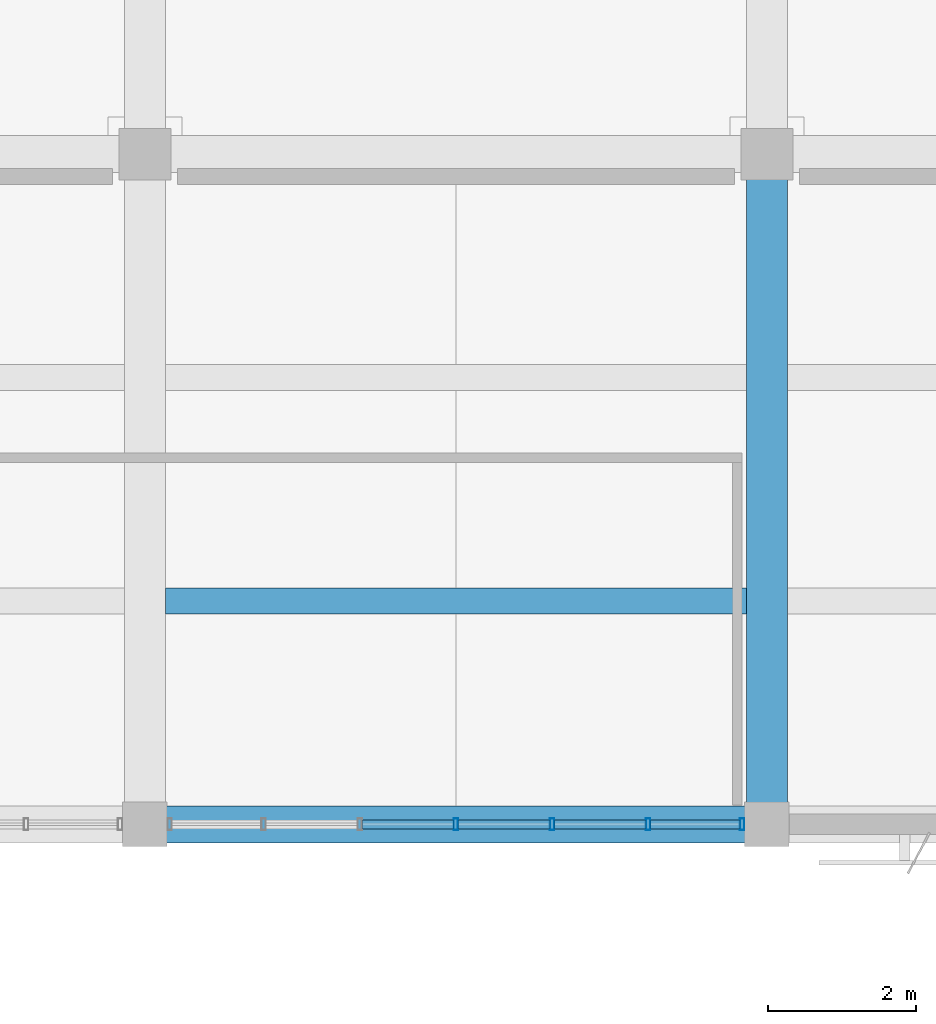
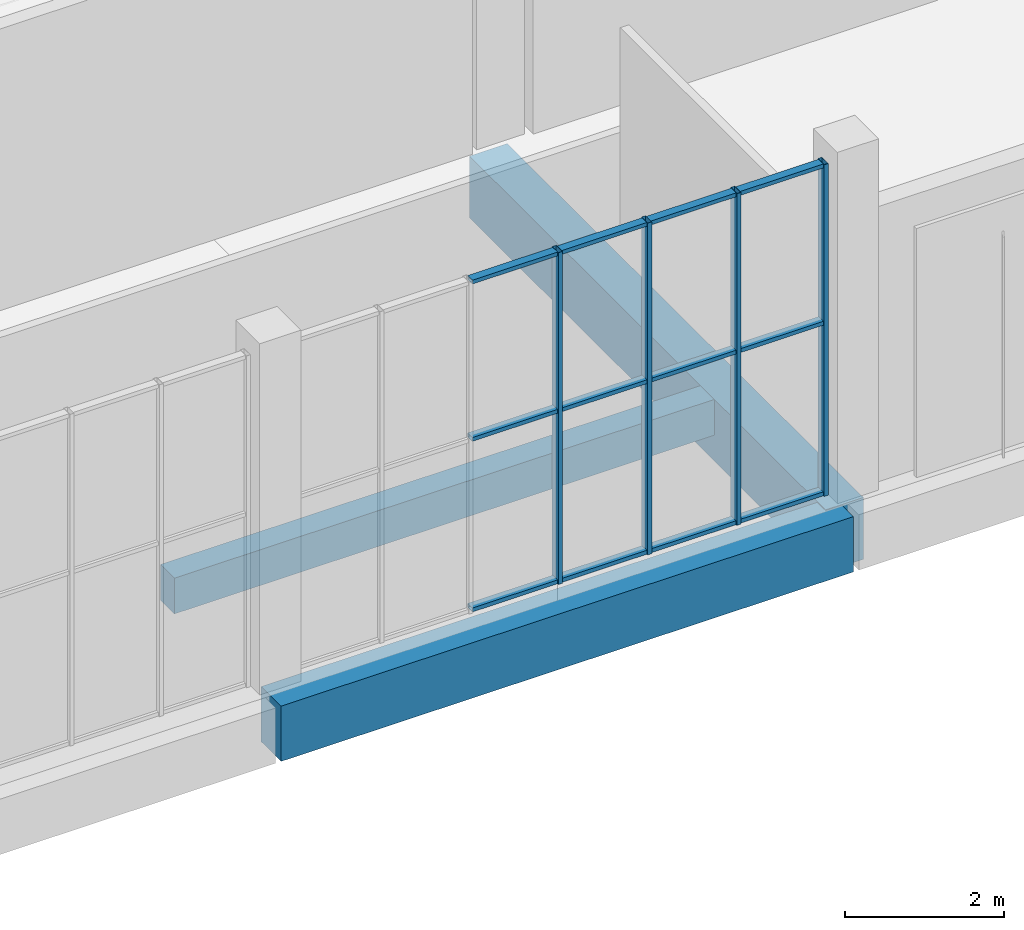
# One storey, part 73 of 132: 16 members, 3 beams, 1 element without a shape of its own.
"""IFC4 building model written with IfcOpenShell, lengths in metres."""

from ifc_helpers import new_model, si_unit, direction, frame, origin, origin_2d, place, context, subcontext, project, spatial, rectangle, hollow_rectangle, extrude, material, material_profile, profile_set, type_object, element, aggregate, save


model = new_model("IFC4")

# Units and contexts
model_context = context("Model", 3, precision=1e-05, world=origin(), true_north=direction((0.0, 1.0)))
body_context = subcontext(model_context, "Body", "Model", "MODEL_VIEW")
ifc_project = project(units=[si_unit("LENGTHUNIT", "METRE"), si_unit("AREAUNIT", "SQUARE_METRE"), si_unit("VOLUMEUNIT", "CUBIC_METRE"), si_unit("PLANEANGLEUNIT", "RADIAN"), si_unit("MASSUNIT", "GRAM", prefix="KILO")], contexts=[model_context])

# Site, building, storey
site_placement = place(None, origin())
site = spatial("IfcSite", under=ifc_project, at=site_placement, CompositionType="ELEMENT")
building_placement = place(site_placement, origin())
building = spatial("IfcBuilding", under=site, at=building_placement, Name="Khurvash Pelagic Aquarium", CompositionType="ELEMENT")
storey_placement = place(building_placement, frame((0.0, 0.0, 5.39990234375)))
storey = spatial("IfcBuildingStorey", under=building, at=storey_placement, Name="L01", CompositionType="ELEMENT", Elevation=5.39990234375)

# Beam
ifc_material_1 = material(Name="Concrete C40/50", Category="concrete")
ifc_material_profile_1 = material_profile(ifc_material_1, rectangle(XDim=0.550048828125, YDim=0.949951171875, at=origin_2d()), Name="RC550X950")
ifc_profile_set_1 = profile_set([ifc_material_profile_1], Name="Concrete C40/50")
beam_type_1 = type_object("IfcBeamType", Name="BM-02", PredefinedType="BEAM", material=ifc_profile_set_1)
beam_1_placement = place(storey_placement, frame((92.39990234375, 84.090087890625, -0.784912109375), z_axis=(0.0, 1.0, 0.0), x_axis=(-1.0, 0.0, 0.0)))
element("IfcBeam", 1, at=beam_1_placement, inside=storey, type_object=beam_type_1, Name="L01 Primary Girder BM-02 00410", PredefinedType="BEAM", context=body_context, shape_type="SweptSolid", body=[
    extrude(rectangle(XDim=0.550048828125, YDim=0.949951171875, at=origin_2d()), origin(), (0.0, 0.0, 1.0), 8.969970703125),
])

# Curtain wall, members
ifc_material_2 = material(Name="Anodised aluminium and low-E laminated glass", Category="aluminium")
curtain_wall_type = type_object("IfcCurtainWallType", Name="CW-05", PredefinedType="USERDEFINED", material=ifc_material_2)
curtain_wall_placement = place(storey_placement, origin())
curtain_wall = element("IfcCurtainWall", 2, at=curtain_wall_placement, inside=storey, type_object=curtain_wall_type, Name="L01 Facade Unitised Curtain Wall CW-05 0139", ObjectType="UNITISED CURTAIN WALL", PredefinedType="USERDEFINED")
ifc_material_3 = material(Name="Extruded aluminium AW-6063-T6", Category="aluminium")
ifc_material_profile_2 = material_profile(ifc_material_3, hollow_rectangle(XDim=0.06005859375, YDim=0.159912109375, WallThickness=0.00390625, at=origin_2d()), Name="CWM60X160X4")
ifc_profile_set_2 = profile_set([ifc_material_profile_2], Name="Extruded aluminium AW-6063-T6")
member_type_1 = type_object("IfcMemberType", Name="CM-02", PredefinedType="MULLION", material=ifc_profile_set_2)
member_1_placement = place(storey_placement, frame((88.199951171875, 84.050048828125, 0.0), z_axis=(0.0, 0.0, 1.0), x_axis=(1.0, 0.0, 0.0)))
member_1 = element("IfcMember", 3, at=member_1_placement, type_object=member_type_1, Name="CW-05 mullion 4", PredefinedType="MULLION", context=body_context, shape_type="SweptSolid", body=[
    extrude(hollow_rectangle(XDim=0.06005859375, YDim=0.159912109375, WallThickness=0.00390625, at=origin_2d()), origin(), (0.0, 0.0, 1.0), 5.10009765625),
])
member_2_placement = place(storey_placement, frame((89.498291015625, 84.050048828125, 0.0), z_axis=(0.0, 0.0, 1.0), x_axis=(1.0, 0.0, 0.0)))
member_2 = element("IfcMember", 4, at=member_2_placement, type_object=member_type_1, Name="CW-05 mullion 5", PredefinedType="MULLION", context=body_context, shape_type="SweptSolid", body=[
    extrude(hollow_rectangle(XDim=0.06005859375, YDim=0.159912109375, WallThickness=0.00390625, at=origin_2d()), origin(), (0.0, 0.0, 1.0), 5.10009765625),
])
member_3_placement = place(storey_placement, frame((90.796630859375, 84.050048828125, 0.0), z_axis=(0.0, 0.0, 1.0), x_axis=(1.0, 0.0, 0.0)))
member_3 = element("IfcMember", 5, at=member_3_placement, type_object=member_type_1, Name="CW-05 mullion 6", PredefinedType="MULLION", context=body_context, shape_type="SweptSolid", body=[
    extrude(hollow_rectangle(XDim=0.06005859375, YDim=0.159912109375, WallThickness=0.00390625, at=origin_2d()), origin(), (0.0, 0.0, 1.0), 5.10009765625),
])
member_4_placement = place(storey_placement, frame((92.06494140625, 84.050048828125, 0.0), z_axis=(0.0, 0.0, 1.0), x_axis=(1.0, 0.0, 0.0)))
member_4 = element("IfcMember", 6, at=member_4_placement, type_object=member_type_1, Name="CW-05 mullion 7", PredefinedType="MULLION", context=body_context, shape_type="SweptSolid", body=[
    extrude(hollow_rectangle(XDim=0.06005859375, YDim=0.159912109375, WallThickness=0.00390625, at=origin_2d()), origin(), (0.0, 0.0, 1.0), 5.10009765625),
])
ifc_material_profile_3 = material_profile(ifc_material_3, hollow_rectangle(XDim=0.1201171875, YDim=0.06005859375, WallThickness=0.00390625, at=origin_2d()), Name="CWT120X60X4")
ifc_profile_set_3 = profile_set([ifc_material_profile_3], Name="Extruded aluminium AW-6063-T6")
member_type_2 = type_object("IfcMemberType", Name="CT-02", PredefinedType="USERDEFINED", material=ifc_profile_set_3)
member_5_placement = place(storey_placement, frame((86.931640625, 84.050048828125, 0.030029296875), z_axis=(1.0, 0.0, 0.0), x_axis=(0.0, 1.0, 0.0)))
member_5 = element("IfcMember", 7, at=member_5_placement, type_object=member_type_2, Name="CW-05 transom 3.1", ObjectType="TRANSOM", PredefinedType="USERDEFINED", context=body_context, shape_type="SweptSolid", body=[
    extrude(hollow_rectangle(XDim=0.1201171875, YDim=0.06005859375, WallThickness=0.00390625, at=origin_2d()), origin(), (0.0, 0.0, 1.0), 1.23828125),
])
member_6_placement = place(storey_placement, frame((86.931640625, 84.050048828125, 2.652099609375), z_axis=(1.0, 0.0, 0.0), x_axis=(0.0, 1.0, 0.0)))
member_6 = element("IfcMember", 8, at=member_6_placement, type_object=member_type_2, Name="CW-05 transom 3.2", ObjectType="TRANSOM", PredefinedType="USERDEFINED", context=body_context, shape_type="SweptSolid", body=[
    extrude(hollow_rectangle(XDim=0.1201171875, YDim=0.06005859375, WallThickness=0.00390625, at=origin_2d()), origin(), (0.0, 0.0, 1.0), 1.23828125),
])
member_7_placement = place(storey_placement, frame((86.931640625, 84.050048828125, 5.070068359375), z_axis=(1.0, 0.0, 0.0), x_axis=(0.0, 1.0, 0.0)))
member_7 = element("IfcMember", 9, at=member_7_placement, type_object=member_type_2, Name="CW-05 transom 3.3", ObjectType="TRANSOM", PredefinedType="USERDEFINED", context=body_context, shape_type="SweptSolid", body=[
    extrude(hollow_rectangle(XDim=0.1201171875, YDim=0.06005859375, WallThickness=0.00390625, at=origin_2d()), origin(), (0.0, 0.0, 1.0), 1.23828125),
])
member_8_placement = place(storey_placement, frame((88.22998046875, 84.050048828125, 0.030029296875), z_axis=(1.0, 0.0, 0.0), x_axis=(0.0, 1.0, 0.0)))
member_8 = element("IfcMember", 10, at=member_8_placement, type_object=member_type_2, Name="CW-05 transom 4.1", ObjectType="TRANSOM", PredefinedType="USERDEFINED", context=body_context, shape_type="SweptSolid", body=[
    extrude(hollow_rectangle(XDim=0.1201171875, YDim=0.06005859375, WallThickness=0.00390625, at=origin_2d()), origin(), (0.0, 0.0, 1.0), 1.23828125),
])
member_9_placement = place(storey_placement, frame((88.22998046875, 84.050048828125, 2.652099609375), z_axis=(1.0, 0.0, 0.0), x_axis=(0.0, 1.0, 0.0)))
member_9 = element("IfcMember", 11, at=member_9_placement, type_object=member_type_2, Name="CW-05 transom 4.2", ObjectType="TRANSOM", PredefinedType="USERDEFINED", context=body_context, shape_type="SweptSolid", body=[
    extrude(hollow_rectangle(XDim=0.1201171875, YDim=0.06005859375, WallThickness=0.00390625, at=origin_2d()), origin(), (0.0, 0.0, 1.0), 1.23828125),
])
member_10_placement = place(storey_placement, frame((88.22998046875, 84.050048828125, 5.070068359375), z_axis=(1.0, 0.0, 0.0), x_axis=(0.0, 1.0, 0.0)))
member_10 = element("IfcMember", 12, at=member_10_placement, type_object=member_type_2, Name="CW-05 transom 4.3", ObjectType="TRANSOM", PredefinedType="USERDEFINED", context=body_context, shape_type="SweptSolid", body=[
    extrude(hollow_rectangle(XDim=0.1201171875, YDim=0.06005859375, WallThickness=0.00390625, at=origin_2d()), origin(), (0.0, 0.0, 1.0), 1.23828125),
])
member_11_placement = place(storey_placement, frame((89.5283203125, 84.050048828125, 0.030029296875), z_axis=(1.0, 0.0, 0.0), x_axis=(0.0, 1.0, 0.0)))
member_11 = element("IfcMember", 13, at=member_11_placement, type_object=member_type_2, Name="CW-05 transom 5.1", ObjectType="TRANSOM", PredefinedType="USERDEFINED", context=body_context, shape_type="SweptSolid", body=[
    extrude(hollow_rectangle(XDim=0.1201171875, YDim=0.06005859375, WallThickness=0.00390625, at=origin_2d()), origin(), (0.0, 0.0, 1.0), 1.23828125),
])
member_12_placement = place(storey_placement, frame((89.5283203125, 84.050048828125, 2.652099609375), z_axis=(1.0, 0.0, 0.0), x_axis=(0.0, 1.0, 0.0)))
member_12 = element("IfcMember", 14, at=member_12_placement, type_object=member_type_2, Name="CW-05 transom 5.2", ObjectType="TRANSOM", PredefinedType="USERDEFINED", context=body_context, shape_type="SweptSolid", body=[
    extrude(hollow_rectangle(XDim=0.1201171875, YDim=0.06005859375, WallThickness=0.00390625, at=origin_2d()), origin(), (0.0, 0.0, 1.0), 1.23828125),
])
member_13_placement = place(storey_placement, frame((89.5283203125, 84.050048828125, 5.070068359375), z_axis=(1.0, 0.0, 0.0), x_axis=(0.0, 1.0, 0.0)))
member_13 = element("IfcMember", 15, at=member_13_placement, type_object=member_type_2, Name="CW-05 transom 5.3", ObjectType="TRANSOM", PredefinedType="USERDEFINED", context=body_context, shape_type="SweptSolid", body=[
    extrude(hollow_rectangle(XDim=0.1201171875, YDim=0.06005859375, WallThickness=0.00390625, at=origin_2d()), origin(), (0.0, 0.0, 1.0), 1.23828125),
])
member_14_placement = place(storey_placement, frame((90.82666015625, 84.050048828125, 0.030029296875), z_axis=(1.0, 0.0, 0.0), x_axis=(0.0, 1.0, 0.0)))
member_14 = element("IfcMember", 16, at=member_14_placement, type_object=member_type_2, Name="CW-05 transom 6.1", ObjectType="TRANSOM", PredefinedType="USERDEFINED", context=body_context, shape_type="SweptSolid", body=[
    extrude(hollow_rectangle(XDim=0.1201171875, YDim=0.06005859375, WallThickness=0.00390625, at=origin_2d()), origin(), (0.0, 0.0, 1.0), 1.208251953125),
])
member_15_placement = place(storey_placement, frame((90.82666015625, 84.050048828125, 2.652099609375), z_axis=(1.0, 0.0, 0.0), x_axis=(0.0, 1.0, 0.0)))
member_15 = element("IfcMember", 17, at=member_15_placement, type_object=member_type_2, Name="CW-05 transom 6.2", ObjectType="TRANSOM", PredefinedType="USERDEFINED", context=body_context, shape_type="SweptSolid", body=[
    extrude(hollow_rectangle(XDim=0.1201171875, YDim=0.06005859375, WallThickness=0.00390625, at=origin_2d()), origin(), (0.0, 0.0, 1.0), 1.208251953125),
])
member_16_placement = place(storey_placement, frame((90.82666015625, 84.050048828125, 5.070068359375), z_axis=(1.0, 0.0, 0.0), x_axis=(0.0, 1.0, 0.0)))
member_16 = element("IfcMember", 18, at=member_16_placement, type_object=member_type_2, Name="CW-05 transom 6.3", ObjectType="TRANSOM", PredefinedType="USERDEFINED", context=body_context, shape_type="SweptSolid", body=[
    extrude(hollow_rectangle(XDim=0.1201171875, YDim=0.06005859375, WallThickness=0.00390625, at=origin_2d()), origin(), (0.0, 0.0, 1.0), 1.208251953125),
])
aggregate(curtain_wall, [member_1, member_2, member_3, member_4, member_5, member_6, member_7, member_8, member_9, member_10, member_11, member_12, member_13, member_14, member_15, member_16])

# Beams
ifc_material_4 = material(Name="Concrete C35/45", Category="concrete")
ifc_material_profile_4 = material_profile(ifc_material_4, rectangle(XDim=0.35009765625, YDim=0.550048828125, at=origin_2d()), Name="RC350X550")
ifc_profile_set_4 = profile_set([ifc_material_profile_4], Name="Concrete C35/45")
beam_type_2 = type_object("IfcBeamType", Name="JS-01", PredefinedType="JOIST", material=ifc_profile_set_4)
beam_2_placement = place(storey_placement, frame((84.27490234375, 87.06689453125, -0.5849609375), z_axis=(1.0, 0.0, 0.0), x_axis=(0.0, 1.0, 0.0)))
element("IfcBeam", 19, at=beam_2_placement, inside=storey, type_object=beam_type_2, Name="L01 Floor Joist JS-01 00528", PredefinedType="JOIST", context=body_context, shape_type="SweptSolid", body=[
    extrude(rectangle(XDim=0.35009765625, YDim=0.550048828125, at=origin_2d()), origin(), (0.0, 0.0, 1.0), 7.85009765625),
])
ifc_material_profile_5 = material_profile(ifc_material_1, rectangle(XDim=0.5, YDim=0.85009765625, at=origin_2d()), Name="RC500X850")
ifc_profile_set_5 = profile_set([ifc_material_profile_5], Name="Concrete C40/50")
beam_type_3 = type_object("IfcBeamType", Name="SEB-03", PredefinedType="SPANDREL", material=ifc_profile_set_5)
beam_3_placement = place(storey_placement, frame((84.0400390625, 84.050048828125, -0.744873046875), z_axis=(1.0, 0.0, 0.0), x_axis=(0.0, 1.0, 0.0)))
element("IfcBeam", 20, at=beam_3_placement, inside=storey, type_object=beam_type_3, Name="L01 Primary Girder SEB-03 00313", PredefinedType="SPANDREL", context=body_context, shape_type="SweptSolid", body=[
    extrude(rectangle(XDim=0.5, YDim=0.85009765625, at=origin_2d()), origin(), (0.0, 0.0, 1.0), 8.320068359375),
])

save(model, "model.ifc")
